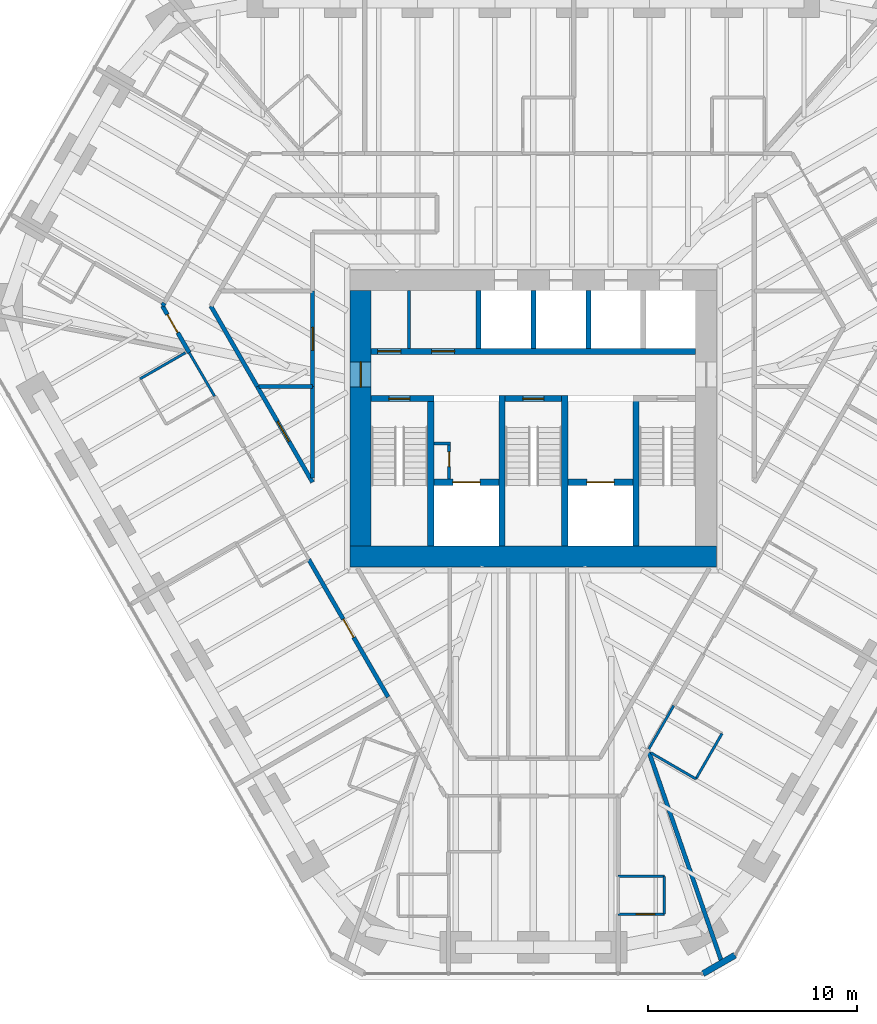
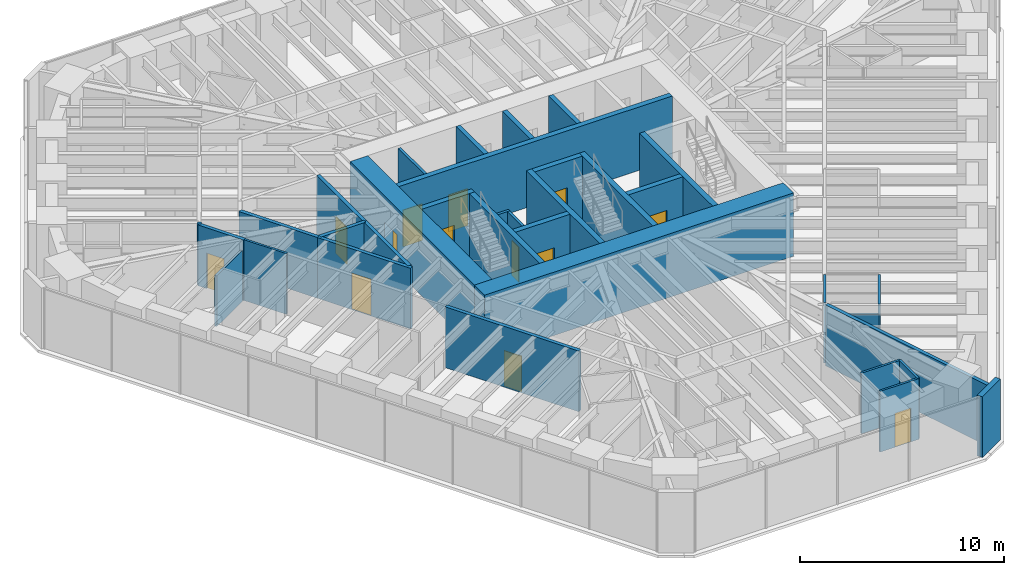
# One storey, part 12 of 16: 35 walls, 13 doors, 13 openings.
"""IFC4 building model written with IfcOpenShell, lengths in metres."""

from ifc_helpers import new_model, si_unit, direction, frame, frame_2d, origin, place, context, subcontext, project, spatial, rectangle, extrude, material, layer, layer_set, type_object, element, fill, save


model = new_model("IFC4")

# Units and contexts
model_context = context("Model", 3, precision=1e-05, world=origin(), true_north=direction((0.0, 1.0)))
body_context = subcontext(model_context, "Body", "Model", "MODEL_VIEW")
ifc_project = project(units=[si_unit("LENGTHUNIT", "METRE"), si_unit("AREAUNIT", "SQUARE_METRE"), si_unit("VOLUMEUNIT", "CUBIC_METRE"), si_unit("PLANEANGLEUNIT", "RADIAN"), si_unit("MASSUNIT", "GRAM", prefix="KILO")], contexts=[model_context])

# Site, building, storey
site_placement = place(None, origin())
site = spatial("IfcSite", under=ifc_project, at=site_placement, CompositionType="ELEMENT")
building_placement = place(site_placement, origin())
building = spatial("IfcBuilding", under=site, at=building_placement, Name="Sandreach Pilgrim Tower", CompositionType="ELEMENT")
storey_placement = place(building_placement, frame((0.0, 0.0, 202.199951171875)))
storey = spatial("IfcBuildingStorey", under=building, at=storey_placement, Name="L50", CompositionType="ELEMENT", Elevation=202.199951171875)

# Walls
ifc_material_1 = material(Name="Gypsum board on steel studs", Category="steel")
ifc_layer_1 = layer(ifc_material_1, 0.14990234375)
ifc_layer_set_1 = layer_set([ifc_layer_1], Name="Back of house wall 150")
wall_type_1 = type_object("IfcWallType", Name="Back of house wall 150", PredefinedType="PARTITIONING", material=ifc_layer_set_1)
wall_1_placement = place(storey_placement, frame((-5.949951171875, 3.35009765625, 0.0), z_axis=(0.0, 0.0, 1.0), x_axis=(0.0, 1.0, 0.0)))
element("IfcWall", 1, at=wall_1_placement, inside=storey, type_object=wall_type_1, Name="Core room partition L50 1", PredefinedType="PARTITIONING", context=body_context, shape_type="SweptSolid", body=[
    extrude(rectangle(XDim=2.75, YDim=0.14990234375, at=frame_2d((1.375, 0.0))), origin(), (0.0, 0.0, 1.0), 3.64013671875),
])
ifc_material_2 = material(Name="Moisture-resistant gypsum board on steel studs", Category="steel")
ifc_layer_2 = layer(ifc_material_2, 0.1201171875)
ifc_layer_set_2 = layer_set([ifc_layer_2], Name="Bathroom partition 120")
wall_type_2 = type_object("IfcWallType", Name="Bathroom partition 120", PredefinedType="PARTITIONING", material=ifc_layer_set_2)
wall_2_placement = place(storey_placement, frame((-16.623779296875, 3.1376953125, 0.0), z_axis=(0.0, 0.0, 1.0), x_axis=(-0.866525185869, -0.499133351175, 0.0)))
element("IfcWall", 2, at=wall_2_placement, inside=storey, type_object=wall_type_2, Name="Bathroom partition L50-020", PredefinedType="PARTITIONING", context=body_context, shape_type="SweptSolid", body=[
    extrude(rectangle(XDim=2.5, YDim=0.1201171875, at=frame_2d((1.25, 0.0))), origin(), (0.0, 0.0, 1.0), 3.0380859375),
])
wall_3_placement = place(storey_placement, frame((-16.43994140625, 3.139892578125, 0.0), z_axis=(0.0, 0.0, 1.0), x_axis=(0.502854986947, -0.864370789709, 0.0)))
element("IfcWall", 3, at=wall_3_placement, inside=storey, type_object=wall_type_2, Name="Bathroom partition L50-022", PredefinedType="PARTITIONING", context=body_context, shape_type="SweptSolid", body=[
    extrude(rectangle(XDim=2.40625, YDim=0.1201171875, at=frame_2d((1.203125, 0.0))), origin(), (0.0, 0.0, 1.0), 3.64013671875),
])

# Wall, opening, door
wall_4_placement = place(storey_placement, frame((4.050048828125, -23.679931640625, 0.0), z_axis=(0.0, 0.0, 1.0), x_axis=(1.0, 0.0, 0.0)))
wall_4 = element("IfcWall", 4, at=wall_4_placement, inside=storey, type_object=wall_type_2, Name="Bathroom partition L50-091", PredefinedType="PARTITIONING", context=body_context, shape_type="SweptSolid", body=[
    extrude(rectangle(XDim=2.199951171875, YDim=0.1201171875, at=frame_2d((1.10009765625, 0.0))), origin(), (0.0, 0.0, 1.0), 3.64013671875),
])
opening_1_placement = place(wall_4_placement, frame((0.85009765625, 0.0, 0.0)))
opening_1 = element("IfcOpeningElement", 5, at=opening_1_placement, cuts=wall_4, Name="Opening D09-09B", PredefinedType="OPENING", context=body_context, shape_type="SweptSolid", body=[
    extrude(rectangle(XDim=0.89990234375, YDim=2.030029296875, at=frame_2d((0.449951171875, 1.01513671875))), frame((0.0, 0.06005859375, 0.0), z_axis=(0.0, -1.0, 0.0), x_axis=(1.0, 0.0, 0.0)), (0.0, 0.0, 1.0), 0.1201171875),
])
ifc_material_3 = material(Name="Timber door, steel frame", Category="steel")
door_type_1 = type_object("IfcDoorType", Name="Bathroom door", OperationType="SINGLE_SWING_LEFT", PredefinedType="DOOR", material=ifc_material_3)
door_1_placement = place(opening_1_placement, origin())
door_1 = element("IfcDoor", 6, at=door_1_placement, inside=storey, type_object=door_type_1, Name="Door 5009B", OperationType="SINGLE_SWING_RIGHT", OverallHeight=2.030029296875, OverallWidth=0.89990234375, PredefinedType="DOOR", context=body_context, shape_type="SweptSolid", body=[
    extrude(rectangle(XDim=0.89990234375, YDim=2.030029296875, at=frame_2d((0.449951171875, 1.01513671875))), frame((0.0, 0.02490234375, 0.0), z_axis=(0.0, -1.0, 0.0), x_axis=(1.0, 0.0, 0.0)), (0.0, 0.0, 1.0), 0.050048828125),
])
fill(opening_1, door_1)

# Walls
wall_5_placement = place(storey_placement, frame((5.510009765625, -15.7900390625, 0.0), z_axis=(0.0, 0.0, 1.0), x_axis=(0.49836161924, 0.866969259241, 0.0)))
element("IfcWall", 7, at=wall_5_placement, inside=storey, type_object=wall_type_2, Name="Bathroom partition L50-095", PredefinedType="PARTITIONING", context=body_context, shape_type="SweptSolid", body=[
    extrude(rectangle(XDim=2.3876953125, YDim=0.1201171875, at=frame_2d((1.19384765625, 0.0))), origin(), (0.0, 0.0, 1.0), 3.64013671875),
])
wall_6_placement = place(storey_placement, frame((5.615234375, -15.97509765625, 0.0), z_axis=(0.0, 0.0, 1.0), x_axis=(0.864873056518, -0.501990633487, 0.0)))
element("IfcWall", 8, at=wall_6_placement, inside=storey, type_object=wall_type_2, Name="Bathroom partition L50-097", PredefinedType="PARTITIONING", context=body_context, shape_type="SweptSolid", body=[
    extrude(rectangle(XDim=2.47998046875, YDim=0.1201171875, at=frame_2d((1.239990234375, 0.0))), origin(), (0.0, 0.0, 1.0), 3.0380859375),
])
wall_7_placement = place(storey_placement, frame((6.25, -23.679931640625, 0.0), z_axis=(0.0, 0.0, 1.0), x_axis=(0.0, 1.0, 0.0)))
element("IfcWall", 9, at=wall_7_placement, inside=storey, type_object=wall_type_2, Name="Bathroom partition L50-098", PredefinedType="PARTITIONING", context=body_context, shape_type="SweptSolid", body=[
    extrude(rectangle(XDim=1.809814453125, YDim=0.1201171875, at=frame_2d((0.90478515625, 0.0))), origin(), (0.0, 0.0, 1.0), 3.64013671875),
])
wall_8_placement = place(storey_placement, frame((6.25, -21.8701171875, 0.0), z_axis=(0.0, 0.0, 1.0), x_axis=(-1.0, 0.0, 0.0)))
element("IfcWall", 10, at=wall_8_placement, inside=storey, type_object=wall_type_2, Name="Bathroom partition L50-099", PredefinedType="PARTITIONING", context=body_context, shape_type="SweptSolid", body=[
    extrude(rectangle(XDim=2.199951171875, YDim=0.1201171875, at=frame_2d((1.10009765625, 0.0))), origin(), (0.0, 0.0, 1.0), 3.64013671875),
])
wall_9_placement = place(storey_placement, frame((7.760009765625, -17.219970703125, 0.0), z_axis=(0.0, 0.0, 1.0), x_axis=(0.499159685399, 0.866510016372, 0.0)))
element("IfcWall", 11, at=wall_9_placement, inside=storey, type_object=wall_type_2, Name="Bathroom partition L50-101", PredefinedType="PARTITIONING", context=body_context, shape_type="SweptSolid", body=[
    extrude(rectangle(XDim=2.504150390625, YDim=0.1201171875, at=frame_2d((1.251953125, 0.0))), origin(), (0.0, 0.0, 1.0), 3.64013671875),
])
ifc_material_4 = material(Name="Concrete 10000 psi", Category="concrete")
ifc_layer_3 = layer(ifc_material_4, 0.300048828125)
ifc_layer_set_3 = layer_set([ifc_layer_3], Name="Core inner wall 300")
wall_type_3 = type_object("IfcWallType", Name="Core inner wall 300", PredefinedType="SHEAR", material=ifc_layer_set_3)
for number, where, z_axis, x_axis, name in (
    (12, (-4.89990234375, -6.10009765625, 0.0), (0.0, 0.0, 1.0), (0.0, 1.0, 0.0), "Core wall I0 L50"),
    (13, (-1.5, -6.10009765625, 0.0), (0.0, 0.0, 1.0), (0.0, 1.0, 0.0), "Core wall I1 L50"),
    (14, (1.5, -6.10009765625, 0.0), (0.0, 0.0, 1.0), (0.0, 1.0, 0.0), "Core wall I2 L50"),
    (15, (4.89990234375, -6.10009765625, 0.0), (0.0, 0.0, 1.0), (0.0, 1.0, 0.0), "Core wall I3 L50"),
):
    element("IfcWall", number, at=place(storey_placement, frame(where, z_axis=z_axis, x_axis=x_axis)), inside=storey, type_object=wall_type_3, Name=name, PredefinedType="SHEAR", context=body_context, shape_type="SweptSolid", body=[
        extrude(rectangle(XDim=7.2001953125, YDim=0.300048828125, at=frame_2d((3.60009765625, 0.0))), origin(), (0.0, 0.0, 1.0), 3.800048828125),
    ])

# Wall, opening, door
wall_10_placement = place(storey_placement, frame((-7.75, 0.949951171875, 0.0), z_axis=(0.0, 0.0, 1.0), x_axis=(1.0, 0.0, 0.0)))
wall_10 = element("IfcWall", 16, at=wall_10_placement, inside=storey, type_object=wall_type_3, Name="Core wall SN1 L50", PredefinedType="SHEAR", context=body_context, shape_type="SweptSolid", body=[
    extrude(rectangle(XDim=3.0, YDim=0.300048828125, at=frame_2d((1.5, 0.0))), origin(), (0.0, 0.0, 1.0), 3.800048828125),
])
opening_2_placement = place(wall_10_placement, frame((0.85009765625, 0.0, 0.0)))
opening_2 = element("IfcOpeningElement", 17, at=opening_2_placement, cuts=wall_10, Name="Opening D10S-ST1", PredefinedType="OPENING", context=body_context, shape_type="SweptSolid", body=[
    extrude(rectangle(XDim=1.0, YDim=2.199951171875, at=frame_2d((0.5, 1.10009765625))), frame((0.0, 0.14990234375, 0.0), z_axis=(0.0, -1.0, 0.0), x_axis=(1.0, 0.0, 0.0)), (0.0, 0.0, 1.0), 0.300048828125),
])
ifc_material_5 = material(Name="Steel door and frame", Category="steel")
door_type_2 = type_object("IfcDoorType", Name="Stair door", OperationType="SINGLE_SWING_LEFT", PredefinedType="DOOR", material=ifc_material_5)
door_2_placement = place(opening_2_placement, origin())
door_2 = element("IfcDoor", 18, at=door_2_placement, inside=storey, type_object=door_type_2, Name="Stair door ST1 L50", OperationType="SINGLE_SWING_LEFT", OverallHeight=2.199951171875, OverallWidth=1.0, PredefinedType="DOOR", context=body_context, shape_type="SweptSolid", body=[
    extrude(rectangle(XDim=1.0, YDim=2.199951171875, at=frame_2d((0.5, 1.10009765625))), frame((0.0, 0.02490234375, 0.0), z_axis=(0.0, -1.0, 0.0), x_axis=(1.0, 0.0, 0.0)), (0.0, 0.0, 1.0), 0.050048828125),
])
fill(opening_2, door_2)

wall_11_placement = place(storey_placement, frame((-1.35009765625, 0.949951171875, 0.0), z_axis=(0.0, 0.0, 1.0), x_axis=(1.0, 0.0, 0.0)))
wall_11 = element("IfcWall", 19, at=wall_11_placement, inside=storey, type_object=wall_type_3, Name="Core wall SN3 L50", PredefinedType="SHEAR", context=body_context, shape_type="SweptSolid", body=[
    extrude(rectangle(XDim=2.7001953125, YDim=0.300048828125, at=frame_2d((1.35009765625, 0.0))), origin(), (0.0, 0.0, 1.0), 3.800048828125),
])
opening_3_placement = place(wall_11_placement, frame((0.85009765625, 0.0, 0.0)))
opening_3 = element("IfcOpeningElement", 20, at=opening_3_placement, cuts=wall_11, Name="Opening D10S-ST3", PredefinedType="OPENING", context=body_context, shape_type="SweptSolid", body=[
    extrude(rectangle(XDim=1.0, YDim=2.199951171875, at=frame_2d((0.5, 1.10009765625))), frame((0.0, 0.14990234375, 0.0), z_axis=(0.0, -1.0, 0.0), x_axis=(1.0, 0.0, 0.0)), (0.0, 0.0, 1.0), 0.300048828125),
])
door_3_placement = place(opening_3_placement, origin())
door_3 = element("IfcDoor", 21, at=door_3_placement, inside=storey, type_object=door_type_2, Name="Stair door ST3 L50", OperationType="SINGLE_SWING_LEFT", OverallHeight=2.199951171875, OverallWidth=1.0, PredefinedType="DOOR", context=body_context, shape_type="SweptSolid", body=[
    extrude(rectangle(XDim=1.0, YDim=2.199951171875, at=frame_2d((0.5, 1.10009765625))), frame((0.0, 0.02490234375, 0.0), z_axis=(0.0, -1.0, 0.0), x_axis=(1.0, 0.0, 0.0)), (0.0, 0.0, 1.0), 0.050048828125),
])
fill(opening_3, door_3)

wall_12_placement = place(storey_placement, frame((-4.75, -3.050048828125, 0.0), z_axis=(0.0, 0.0, 1.0), x_axis=(1.0, 0.0, 0.0)))
wall_12 = element("IfcWall", 22, at=wall_12_placement, inside=storey, type_object=wall_type_3, Name="Core wall FL1 L50", PredefinedType="SHEAR", context=body_context, shape_type="SweptSolid", body=[
    extrude(rectangle(XDim=3.10009765625, YDim=0.300048828125, at=frame_2d((1.550048828125, 0.0))), origin(), (0.0, 0.0, 1.0), 3.800048828125),
])
opening_4_placement = place(wall_12_placement, frame((0.89990234375, 0.0, 0.0)))
opening_4 = element("IfcOpeningElement", 23, at=opening_4_placement, cuts=wall_12, Name="Opening LD13", PredefinedType="OPENING", context=body_context, shape_type="SweptSolid", body=[
    extrude(rectangle(XDim=1.300048828125, YDim=2.10009765625, at=frame_2d((0.64990234375, 1.050048828125))), frame((0.0, 0.14990234375, 0.0), z_axis=(0.0, -1.0, 0.0), x_axis=(1.0, 0.0, 0.0)), (0.0, 0.0, 1.0), 0.300048828125),
])
ifc_material_6 = material(Name="Steel door and frame", Category="steel")
door_type_3 = type_object("IfcDoorType", Name="Fire service lift landing door", OperationType="DOUBLE_DOOR_SLIDING", PredefinedType="DOOR", material=ifc_material_6)
door_4_placement = place(opening_4_placement, origin())
door_4 = element("IfcDoor", 24, at=door_4_placement, inside=storey, type_object=door_type_3, Name="Lift landing door FS1 L50", OperationType="DOUBLE_DOOR_SLIDING", OverallHeight=2.10009765625, OverallWidth=1.300048828125, PredefinedType="DOOR", context=body_context, shape_type="SweptSolid", body=[
    extrude(rectangle(XDim=1.300048828125, YDim=2.10009765625, at=frame_2d((0.64990234375, 1.050048828125))), frame((0.0, 0.02490234375, 0.0), z_axis=(0.0, -1.0, 0.0), x_axis=(1.0, 0.0, 0.0)), (0.0, 0.0, 1.0), 0.050048828125),
])
fill(opening_4, door_4)

wall_13_placement = place(storey_placement, frame((1.64990234375, -3.050048828125, 0.0), z_axis=(0.0, 0.0, 1.0), x_axis=(1.0, 0.0, 0.0)))
wall_13 = element("IfcWall", 25, at=wall_13_placement, inside=storey, type_object=wall_type_3, Name="Core wall FL2 L50", PredefinedType="SHEAR", context=body_context, shape_type="SweptSolid", body=[
    extrude(rectangle(XDim=3.10009765625, YDim=0.300048828125, at=frame_2d((1.550048828125, 0.0))), origin(), (0.0, 0.0, 1.0), 3.800048828125),
])
opening_5_placement = place(wall_13_placement, frame((0.89990234375, 0.0, 0.0)))
opening_5 = element("IfcOpeningElement", 26, at=opening_5_placement, cuts=wall_13, Name="Opening LD13", PredefinedType="OPENING", context=body_context, shape_type="SweptSolid", body=[
    extrude(rectangle(XDim=1.300048828125, YDim=2.10009765625, at=frame_2d((0.64990234375, 1.050048828125))), frame((0.0, 0.14990234375, 0.0), z_axis=(0.0, -1.0, 0.0), x_axis=(1.0, 0.0, 0.0)), (0.0, 0.0, 1.0), 0.300048828125),
])
door_5_placement = place(opening_5_placement, origin())
door_5 = element("IfcDoor", 27, at=door_5_placement, inside=storey, type_object=door_type_3, Name="Lift landing door FS2 L50", OperationType="DOUBLE_DOOR_SLIDING", OverallHeight=2.10009765625, OverallWidth=1.300048828125, PredefinedType="DOOR", context=body_context, shape_type="SweptSolid", body=[
    extrude(rectangle(XDim=1.300048828125, YDim=2.10009765625, at=frame_2d((0.64990234375, 1.050048828125))), frame((0.0, 0.02490234375, 0.0), z_axis=(0.0, -1.0, 0.0), x_axis=(1.0, 0.0, 0.0)), (0.0, 0.0, 1.0), 0.050048828125),
])
fill(opening_5, door_5)

# Wall, openings, doors
wall_14_placement = place(storey_placement, frame((-7.75, 3.199951171875, 0.0), z_axis=(0.0, 0.0, 1.0), x_axis=(1.0, 0.0, 0.0)))
wall_14 = element("IfcWall", 28, at=wall_14_placement, inside=storey, type_object=wall_type_3, Name="Core wall PN L50", PredefinedType="SHEAR", context=body_context, shape_type="SweptSolid", body=[
    extrude(rectangle(XDim=15.5, YDim=0.300048828125, at=frame_2d((7.75, 0.0))), origin(), (0.0, 0.0, 1.0), 3.800048828125),
])
opening_6_placement = place(wall_14_placement, frame((0.3125, 0.0, 0.0)))
opening_6 = element("IfcOpeningElement", 29, at=opening_6_placement, cuts=wall_14, Name="Opening D11L", PredefinedType="OPENING", context=body_context, shape_type="SweptSolid", body=[
    extrude(rectangle(XDim=1.10009765625, YDim=2.199951171875, at=frame_2d((0.550048828125, 1.10009765625))), frame((0.0, 0.14990234375, 0.0), z_axis=(0.0, -1.0, 0.0), x_axis=(1.0, 0.0, 0.0)), (0.0, 0.0, 1.0), 0.300048828125),
])
opening_7_placement = place(wall_14_placement, frame((2.887451171875, 0.0, 0.0)))
opening_7 = element("IfcOpeningElement", 30, at=opening_7_placement, cuts=wall_14, Name="Opening D11L", PredefinedType="OPENING", context=body_context, shape_type="SweptSolid", body=[
    extrude(rectangle(XDim=1.10009765625, YDim=2.199951171875, at=frame_2d((0.550048828125, 1.10009765625))), frame((0.0, 0.14990234375, 0.0), z_axis=(0.0, -1.0, 0.0), x_axis=(1.0, 0.0, 0.0)), (0.0, 0.0, 1.0), 0.300048828125),
])
ifc_material_7 = material(Name="Steel door and frame, smoke seals", Category="steel")
door_type_4 = type_object("IfcDoorType", Name="Core room door", OperationType="SINGLE_SWING_LEFT", PredefinedType="DOOR", material=ifc_material_7)
door_6_placement = place(opening_6_placement, origin())
door_6 = element("IfcDoor", 31, at=door_6_placement, inside=storey, type_object=door_type_4, Name="Door linen and housekeeping store 50K1", OperationType="SINGLE_SWING_LEFT", OverallHeight=2.199951171875, OverallWidth=1.10009765625, PredefinedType="DOOR", context=body_context, shape_type="SweptSolid", body=[
    extrude(rectangle(XDim=1.10009765625, YDim=2.199951171875, at=frame_2d((0.550048828125, 1.10009765625))), frame((0.0, 0.02490234375, 0.0), z_axis=(0.0, -1.0, 0.0), x_axis=(1.0, 0.0, 0.0)), (0.0, 0.0, 1.0), 0.050048828125),
])
fill(opening_6, door_6)
door_7_placement = place(opening_7_placement, origin())
door_7 = element("IfcDoor", 32, at=door_7_placement, inside=storey, type_object=door_type_4, Name="Door cleaners store 50K2", OperationType="SINGLE_SWING_LEFT", OverallHeight=2.199951171875, OverallWidth=1.10009765625, PredefinedType="DOOR", context=body_context, shape_type="SweptSolid", body=[
    extrude(rectangle(XDim=1.10009765625, YDim=2.199951171875, at=frame_2d((0.550048828125, 1.10009765625))), frame((0.0, 0.02490234375, 0.0), z_axis=(0.0, -1.0, 0.0), x_axis=(1.0, 0.0, 0.0)), (0.0, 0.0, 1.0), 0.050048828125),
])
fill(opening_7, door_7)

# Wall
ifc_material_8 = material(Name="Concrete 10000 psi", Category="concrete")
ifc_layer_4 = layer(ifc_material_8, 1.0)
ifc_layer_set_4 = layer_set([ifc_layer_4], Name="Core wall 1000")
wall_type_4 = type_object("IfcWallType", Name="Core wall 1000", PredefinedType="SHEAR", material=ifc_layer_set_4)
wall_15_placement = place(storey_placement, frame((-8.75, -6.60009765625, 0.0), z_axis=(0.0, 0.0, 1.0), x_axis=(1.0, 0.0, 0.0)))
element("IfcWall", 33, at=wall_15_placement, inside=storey, type_object=wall_type_4, Name="Core wall S L50", PredefinedType="SHEAR", context=body_context, shape_type="SweptSolid", body=[
    extrude(rectangle(XDim=17.5, YDim=1.0, at=frame_2d((8.75, 0.0))), origin(), (0.0, 0.0, 1.0), 3.800048828125),
])

# Wall, opening, door
wall_16_placement = place(storey_placement, frame((-8.25, -6.10009765625, 0.0), z_axis=(0.0, 0.0, 1.0), x_axis=(0.0, 1.0, 0.0)))
wall_16 = element("IfcWall", 34, at=wall_16_placement, inside=storey, type_object=wall_type_4, Name="Core wall W L50", PredefinedType="SHEAR", context=body_context, shape_type="SweptSolid", body=[
    extrude(rectangle(XDim=12.2001953125, YDim=1.0, at=frame_2d((6.10009765625, 0.0))), origin(), (0.0, 0.0, 1.0), 3.800048828125),
])
opening_8_placement = place(wall_16_placement, frame((7.60009765625, 0.0, 0.0)))
opening_8 = element("IfcOpeningElement", 35, at=opening_8_placement, cuts=wall_16, Name="Opening D12F-W", PredefinedType="OPENING", context=body_context, shape_type="SweptSolid", body=[
    extrude(rectangle(XDim=1.199951171875, YDim=2.199951171875, at=frame_2d((0.60009765625, 1.10009765625))), frame((0.0, 0.5, 0.0), z_axis=(0.0, -1.0, 0.0), x_axis=(1.0, 0.0, 0.0)), (0.0, 0.0, 1.0), 1.0),
])
ifc_material_9 = material(Name="Steel door and frame", Category="steel")
door_type_5 = type_object("IfcDoorType", Name="Fire lobby door", OperationType="SINGLE_SWING_LEFT", PredefinedType="DOOR", material=ifc_material_9)
door_8_placement = place(opening_8_placement, origin())
door_8 = element("IfcDoor", 36, at=door_8_placement, inside=storey, type_object=door_type_5, Name="Fire service lobby door W L50", OperationType="SINGLE_SWING_RIGHT", OverallHeight=2.199951171875, OverallWidth=1.199951171875, PredefinedType="DOOR", context=body_context, shape_type="SweptSolid", body=[
    extrude(rectangle(XDim=1.199951171875, YDim=2.199951171875, at=frame_2d((0.60009765625, 1.10009765625))), frame((0.0, 0.02490234375, 0.0), z_axis=(0.0, -1.0, 0.0), x_axis=(1.0, 0.0, 0.0)), (0.0, 0.0, 1.0), 0.050048828125),
])
fill(opening_8, door_8)

# Wall
ifc_material_10 = material(Name="Gypsum board on steel studs, two layers each side", Category="steel")
ifc_layer_5 = layer(ifc_material_10, 0.199951171875)
ifc_layer_set_5 = layer_set([ifc_layer_5], Name="Corridor wall 200")
wall_type_5 = type_object("IfcWallType", Name="Corridor wall 200", PredefinedType="PARTITIONING", material=ifc_layer_set_5)
wall_17_placement = place(storey_placement, frame((-17.6298828125, 5.510009765625, 0.0), z_axis=(0.0, 0.0, 1.0), x_axis=(-0.541424846284, -0.840749151547, 0.0)))
element("IfcWall", 37, at=wall_17_placement, inside=storey, type_object=wall_type_5, Name="Corridor wall L50-014", PredefinedType="PARTITIONING", context=body_context, shape_type="SweptSolid", body=[
    extrude(rectangle(XDim=0.16650390625, YDim=0.199951171875, at=frame_2d((0.083251953125, 0.0))), origin(), (0.0, 0.0, 1.0), 3.64013671875),
])

# Wall, opening, door
wall_18_placement = place(storey_placement, frame((-16.43994140625, 3.139892578125, 0.0), z_axis=(0.0, 0.0, 1.0), x_axis=(-0.497825198029, 0.867277390578, 0.0)))
wall_18 = element("IfcWall", 38, at=wall_18_placement, inside=storey, type_object=wall_type_5, Name="Corridor wall L50-021", PredefinedType="PARTITIONING", context=body_context, shape_type="SweptSolid", body=[
    extrude(rectangle(XDim=2.5712890625, YDim=0.199951171875, at=frame_2d((1.28564453125, 0.0))), origin(), (0.0, 0.0, 1.0), 3.64013671875),
])
opening_9_placement = place(wall_18_placement, frame((1.10009765625, 0.0, 0.0)))
opening_9 = element("IfcOpeningElement", 39, at=opening_9_placement, cuts=wall_18, Name="Opening D10-15", PredefinedType="OPENING", context=body_context, shape_type="SweptSolid", body=[
    extrude(rectangle(XDim=1.0, YDim=2.1298828125, at=frame_2d((0.5, 1.06494140625))), frame((0.0, 0.10009765625, 0.0), z_axis=(0.0, -1.0, 0.0), x_axis=(1.0, 0.0, 0.0)), (0.0, 0.0, 1.0), 0.199951171875),
])
ifc_material_11 = material(Name="Steel door and frame", Category="steel")
door_type_6 = type_object("IfcDoorType", Name="Guest room entry door", OperationType="SINGLE_SWING_LEFT", PredefinedType="DOOR", material=ifc_material_11)
door_9_placement = place(opening_9_placement, origin())
door_9 = element("IfcDoor", 40, at=door_9_placement, inside=storey, type_object=door_type_6, Name="Door 5015", OperationType="SINGLE_SWING_RIGHT", OverallHeight=2.1298828125, OverallWidth=1.0, PredefinedType="DOOR", context=body_context, shape_type="SweptSolid", body=[
    extrude(rectangle(XDim=1.0, YDim=2.1298828125, at=frame_2d((0.5, 1.06494140625))), frame((0.0, 0.02490234375, 0.0), z_axis=(0.0, -1.0, 0.0), x_axis=(1.0, 0.0, 0.0)), (0.0, 0.0, 1.0), 0.050048828125),
])
fill(opening_9, door_9)

# Wall
wall_19_placement = place(storey_placement, frame((-13.18994140625, 1.52001953125, 0.0), z_axis=(0.0, 0.0, 1.0), x_axis=(-0.499513190454, 0.866306281036, 0.0)))
element("IfcWall", 41, at=wall_19_placement, inside=storey, type_object=wall_type_5, Name="Corridor wall L50-035", PredefinedType="PARTITIONING", context=body_context, shape_type="SweptSolid", body=[
    extrude(rectangle(XDim=4.4443359375, YDim=0.199951171875, at=frame_2d((2.22216796875, 0.0))), origin(), (0.0, 0.0, 1.0), 3.64013671875),
])

# Wall, opening, door
wall_20_placement = place(storey_placement, frame((-10.72998046875, -6.739990234375, 0.0), z_axis=(0.0, 0.0, 1.0), x_axis=(0.499684370586, -0.866207555839, 0.0)))
wall_20 = element("IfcWall", 42, at=wall_20_placement, inside=storey, type_object=wall_type_5, Name="Corridor wall L50-044", PredefinedType="PARTITIONING", context=body_context, shape_type="SweptSolid", body=[
    extrude(rectangle(XDim=7.5849609375, YDim=0.199951171875, at=frame_2d((3.79248046875, 0.0))), origin(), (0.0, 0.0, 1.0), 3.64013671875),
])
opening_10_placement = place(wall_20_placement, frame((3.29248046875, 0.0, 0.0)))
opening_10 = element("IfcOpeningElement", 43, at=opening_10_placement, cuts=wall_20, Name="Opening D10-13", PredefinedType="OPENING", context=body_context, shape_type="SweptSolid", body=[
    extrude(rectangle(XDim=1.0, YDim=2.1298828125, at=frame_2d((0.5, 1.06494140625))), frame((0.0, 0.10009765625, 0.0), z_axis=(0.0, -1.0, 0.0), x_axis=(1.0, 0.0, 0.0)), (0.0, 0.0, 1.0), 0.199951171875),
])
door_10_placement = place(opening_10_placement, origin())
door_10 = element("IfcDoor", 44, at=door_10_placement, inside=storey, type_object=door_type_6, Name="Door 5013", OperationType="SINGLE_SWING_LEFT", OverallHeight=2.1298828125, OverallWidth=1.0, PredefinedType="DOOR", context=body_context, shape_type="SweptSolid", body=[
    extrude(rectangle(XDim=1.0, YDim=2.1298828125, at=frame_2d((0.5, 1.06494140625))), frame((0.0, 0.02490234375, 0.0), z_axis=(0.0, -1.0, 0.0), x_axis=(1.0, 0.0, 0.0)), (0.0, 0.0, 1.0), 0.050048828125),
])
fill(opening_10, door_10)

wall_21_placement = place(storey_placement, frame((-10.550048828125, -3.050048828125, 0.0), z_axis=(0.0, 0.0, 1.0), x_axis=(-0.500193590286, 0.865913605527, 0.0)))
wall_21 = element("IfcWall", 45, at=wall_21_placement, inside=storey, type_object=wall_type_5, Name="Corridor wall L50-046", PredefinedType="PARTITIONING", context=body_context, shape_type="SweptSolid", body=[
    extrude(rectangle(XDim=5.27783203125, YDim=0.199951171875, at=frame_2d((2.638916015625, 0.0))), origin(), (0.0, 0.0, 1.0), 3.64013671875),
])
opening_11_placement = place(wall_21_placement, frame((2.25, 0.0, 0.0)))
opening_11 = element("IfcOpeningElement", 46, at=opening_11_placement, cuts=wall_21, Name="Opening D11H-M02", PredefinedType="OPENING", context=body_context, shape_type="SweptSolid", body=[
    extrude(rectangle(XDim=1.10009765625, YDim=2.199951171875, at=frame_2d((0.550048828125, 1.10009765625))), frame((0.0, 0.10009765625, 0.0), z_axis=(0.0, -1.0, 0.0), x_axis=(1.0, 0.0, 0.0)), (0.0, 0.0, 1.0), 0.199951171875),
])
ifc_material_12 = material(Name="Steel door and frame", Category="steel")
door_type_7 = type_object("IfcDoorType", Name="Back of house door", OperationType="SINGLE_SWING_LEFT", PredefinedType="DOOR", material=ifc_material_12)
door_11_placement = place(opening_11_placement, origin())
door_11 = element("IfcDoor", 47, at=door_11_placement, inside=storey, type_object=door_type_7, Name="Door 50M02", OperationType="SINGLE_SWING_RIGHT", OverallHeight=2.199951171875, OverallWidth=1.10009765625, PredefinedType="DOOR", context=body_context, shape_type="SweptSolid", body=[
    extrude(rectangle(XDim=1.10009765625, YDim=2.199951171875, at=frame_2d((0.550048828125, 1.10009765625))), frame((0.0, 0.02490234375, 0.0), z_axis=(0.0, -1.0, 0.0), x_axis=(1.0, 0.0, 0.0)), (0.0, 0.0, 1.0), 0.050048828125),
])
fill(opening_11, door_11)

# Wall
wall_22_placement = place(storey_placement, frame((-10.550048828125, 1.52001953125, 0.0), z_axis=(0.0, 0.0, 1.0), x_axis=(0.0, -1.0, 0.0)))
element("IfcWall", 48, at=wall_22_placement, inside=storey, type_object=wall_type_5, Name="Corridor wall L50-047", PredefinedType="PARTITIONING", context=body_context, shape_type="SweptSolid", body=[
    extrude(rectangle(XDim=4.375, YDim=0.199951171875, at=frame_2d((2.1875, 0.0))), origin(), (0.0, 0.0, 1.0), 3.64013671875),
])

# Wall, opening, door
wall_23_placement = place(storey_placement, frame((-10.550048828125, 6.090087890625, 0.0), z_axis=(0.0, 0.0, 1.0), x_axis=(0.0, -1.0, 0.0)))
wall_23 = element("IfcWall", 49, at=wall_23_placement, inside=storey, type_object=wall_type_5, Name="Corridor wall L50-048", PredefinedType="PARTITIONING", context=body_context, shape_type="SweptSolid", body=[
    extrude(rectangle(XDim=4.570068359375, YDim=0.199951171875, at=frame_2d((2.28515625, 0.0))), origin(), (0.0, 0.0, 1.0), 3.64013671875),
])
opening_12_placement = place(wall_23_placement, frame((1.735107421875, 0.0, 0.0)))
opening_12 = element("IfcOpeningElement", 50, at=opening_12_placement, cuts=wall_23, Name="Opening D11H-M01", PredefinedType="OPENING", context=body_context, shape_type="SweptSolid", body=[
    extrude(rectangle(XDim=1.10009765625, YDim=2.199951171875, at=frame_2d((0.550048828125, 1.10009765625))), frame((0.0, 0.10009765625, 0.0), z_axis=(0.0, -1.0, 0.0), x_axis=(1.0, 0.0, 0.0)), (0.0, 0.0, 1.0), 0.199951171875),
])
door_12_placement = place(opening_12_placement, origin())
door_12 = element("IfcDoor", 51, at=door_12_placement, inside=storey, type_object=door_type_7, Name="Door 50M01", OperationType="SINGLE_SWING_LEFT", OverallHeight=2.199951171875, OverallWidth=1.10009765625, PredefinedType="DOOR", context=body_context, shape_type="SweptSolid", body=[
    extrude(rectangle(XDim=1.10009765625, YDim=2.199951171875, at=frame_2d((0.550048828125, 1.10009765625))), frame((0.0, 0.02490234375, 0.0), z_axis=(0.0, -1.0, 0.0), x_axis=(1.0, 0.0, 0.0)), (0.0, 0.0, 1.0), 0.050048828125),
])
fill(opening_12, door_12)

# Walls
ifc_material_13 = material(Name="Double steel stud acoustic wall, gypsum board", Category="steel")
ifc_layer_6 = layer(ifc_material_13, 0.199951171875)
ifc_layer_set_6 = layer_set([ifc_layer_6], Name="Party wall 200")
wall_type_6 = type_object("IfcWallType", Name="Party wall 200", PredefinedType="PARTITIONING", material=ifc_layer_set_6)
wall_24_placement = place(storey_placement, frame((-10.56005859375, 1.52001953125, 0.0), z_axis=(0.0, 0.0, 1.0), x_axis=(-1.0, 0.0, 0.0)))
element("IfcWall", 52, at=wall_24_placement, inside=storey, type_object=wall_type_6, Name="Party wall L50-045", PredefinedType="PARTITIONING", context=body_context, shape_type="SweptSolid", body=[
    extrude(rectangle(XDim=2.56005859375, YDim=0.199951171875, at=frame_2d((1.280029296875, 0.0))), origin(), (0.0, 0.0, 1.0), 3.64013671875),
])
wall_25_placement = place(storey_placement, frame((5.52197265625, -15.950927734375, 0.0), z_axis=(0.0, 0.0, 1.0), x_axis=(0.327588517074, -0.944820492729, 0.0)))
element("IfcWall", 53, at=wall_25_placement, inside=storey, type_object=wall_type_6, Name="Party wall L50-096", PredefinedType="PARTITIONING", context=body_context, shape_type="SweptSolid", body=[
    extrude(rectangle(XDim=10.6484375, YDim=0.199951171875, at=frame_2d((5.32421875, 0.0))), origin(), (0.0, 0.0, 1.0), 3.64013671875),
])

# Wall, opening, door
ifc_material_14 = material(Name="Gypsum shaft wall on steel studs, shaft liner board", Category="steel")
ifc_layer_7 = layer(ifc_material_14, 0.14990234375)
ifc_layer_set_7 = layer_set([ifc_layer_7], Name="Riser shaft wall 150")
wall_type_7 = type_object("IfcWallType", Name="Riser shaft wall 150", PredefinedType="PARTITIONING", material=ifc_layer_set_7)
wall_26_placement = place(storey_placement, frame((-4.02490234375, -2.89990234375, 0.0), z_axis=(0.0, 0.0, 1.0), x_axis=(0.0, 1.0, 0.0)))
wall_26 = element("IfcWall", 54, at=wall_26_placement, inside=storey, type_object=wall_type_7, Name="Riser partition L50 side", PredefinedType="PARTITIONING", context=body_context, shape_type="SweptSolid", body=[
    extrude(rectangle(XDim=1.77490234375, YDim=0.14990234375, at=frame_2d((0.887451171875, 0.0))), origin(), (0.0, 0.0, 1.0), 3.64013671875),
])
opening_13_placement = place(wall_26_placement, frame((0.60009765625, 0.0, 0.0)))
opening_13 = element("IfcOpeningElement", 55, at=opening_13_placement, cuts=wall_26, Name="Opening D07R", PredefinedType="OPENING", context=body_context, shape_type="SweptSolid", body=[
    extrude(rectangle(XDim=0.699951171875, YDim=2.10009765625, at=frame_2d((0.35009765625, 1.050048828125))), frame((0.0, 0.074951171875, 0.0), z_axis=(0.0, -1.0, 0.0), x_axis=(1.0, 0.0, 0.0)), (0.0, 0.0, 1.0), 0.14990234375),
])
ifc_material_15 = material(Name="Steel door and frame, smoke seals", Category="steel")
door_type_8 = type_object("IfcDoorType", Name="Riser access door", OperationType="SINGLE_SWING_RIGHT", PredefinedType="DOOR", material=ifc_material_15)
door_13_placement = place(opening_13_placement, origin())
door_13 = element("IfcDoor", 56, at=door_13_placement, inside=storey, type_object=door_type_8, Name="Door riser 50ER", OperationType="SINGLE_SWING_RIGHT", OverallHeight=2.10009765625, OverallWidth=0.699951171875, PredefinedType="DOOR", context=body_context, shape_type="SweptSolid", body=[
    extrude(rectangle(XDim=0.699951171875, YDim=2.10009765625, at=frame_2d((0.35009765625, 1.050048828125))), frame((0.0, 0.02490234375, 0.0), z_axis=(0.0, -1.0, 0.0), x_axis=(1.0, 0.0, 0.0)), (0.0, 0.0, 1.0), 0.050048828125),
])
fill(opening_13, door_13)

# Walls
wall_27_placement = place(storey_placement, frame((-4.75, -1.199951171875, 0.0), z_axis=(0.0, 0.0, 1.0), x_axis=(1.0, 0.0, 0.0)))
element("IfcWall", 57, at=wall_27_placement, inside=storey, type_object=wall_type_7, Name="Riser partition L50 front", PredefinedType="PARTITIONING", context=body_context, shape_type="SweptSolid", body=[
    extrude(rectangle(XDim=0.800048828125, YDim=0.14990234375, at=frame_2d((0.39990234375, 0.0))), origin(), (0.0, 0.0, 1.0), 3.64013671875),
])
ifc_material_16 = material(Name="Gypsum shaft wall on steel studs, two layers of shaft liner board", Category="steel")
ifc_layer_8 = layer(ifc_material_16, 0.25)
ifc_layer_set_8 = layer_set([ifc_layer_8], Name="Shaft partition 250")
wall_type_8 = type_object("IfcWallType", Name="Shaft partition 250", PredefinedType="PARTITIONING", material=ifc_layer_set_8)
for number, where, z_axis, x_axis, name in (
    (58, (-2.625, 3.35009765625, 0.0), (0.0, 0.0, 1.0), (0.0, 1.0, 0.0), "Shaft partition NS1 L50"),
    (59, (0.0, 3.35009765625, 0.0), (0.0, 0.0, 1.0), (0.0, 1.0, 0.0), "Shaft partition NS2 L50"),
    (60, (2.625, 3.35009765625, 0.0), (0.0, 0.0, 1.0), (0.0, 1.0, 0.0), "Shaft partition NS3 L50"),
):
    element("IfcWall", number, at=place(storey_placement, frame(where, z_axis=z_axis, x_axis=x_axis)), inside=storey, type_object=wall_type_8, Name=name, PredefinedType="PARTITIONING", context=body_context, shape_type="SweptSolid", body=[
        extrude(rectangle(XDim=2.75, YDim=0.25, at=frame_2d((1.375, 0.0))), origin(), (0.0, 0.0, 1.0), 3.800048828125),
    ])
ifc_material_17 = material(Name="Terracotta rainscreen on concrete", Category="masonry")
ifc_layer_9 = layer(ifc_material_17, 0.300048828125)
ifc_layer_set_9 = layer_set([ifc_layer_9], Name="Terracotta chamfer pier")
wall_type_9 = type_object("IfcWallType", Name="Terracotta chamfer pier", PredefinedType="SOLIDWALL", material=ifc_layer_set_9)
wall_28_placement = place(storey_placement, frame((9.63037109375, -25.64013671875, 0.0), z_axis=(0.0, 0.0, 1.0), x_axis=(-0.866036293601, -0.499981137809, 0.0)))
element("IfcWall", 61, at=wall_28_placement, inside=storey, type_object=wall_type_9, Name="Chamfer pier L50 SE", PredefinedType="SOLIDWALL", context=body_context, shape_type="SweptSolid", body=[
    extrude(rectangle(XDim=1.77001953125, YDim=0.300048828125, at=frame_2d((0.885009765625, 0.0))), origin(), (0.0, 0.0, 1.0), 3.64013671875),
])

save(model, "model.ifc")
